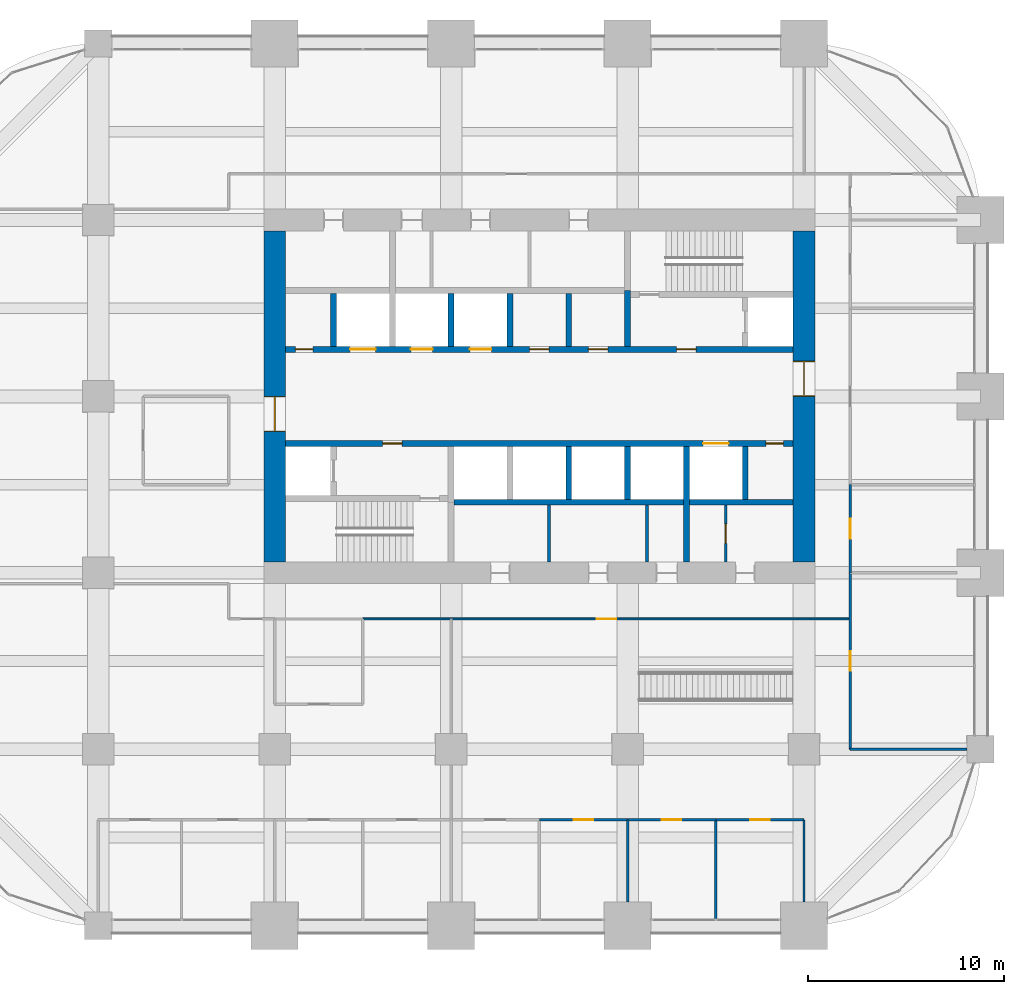
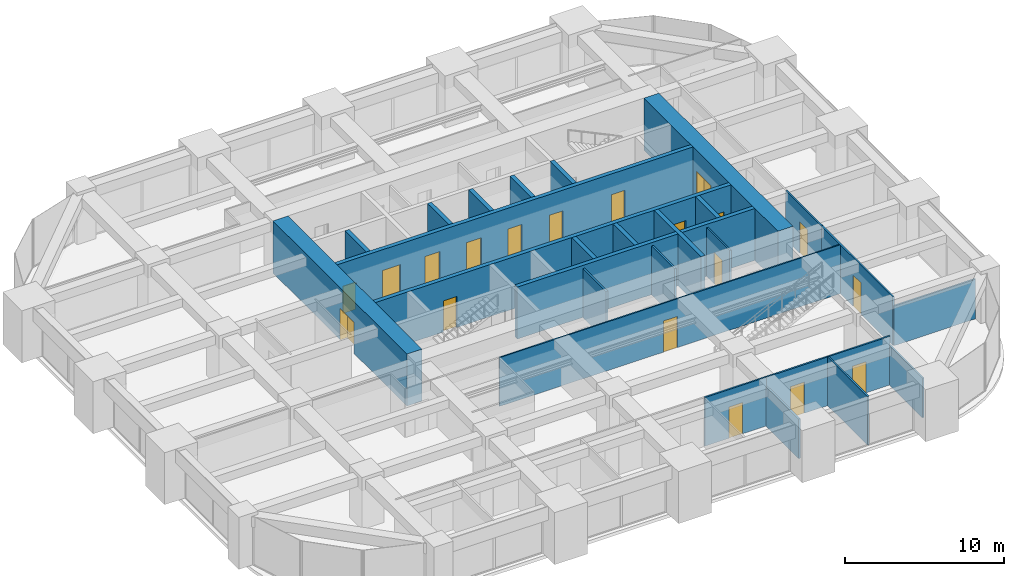
# One storey, part 30 of 34: 27 walls, 19 doors, 19 openings.
"""IFC4 building model written with IfcOpenShell, lengths in metres."""

from ifc_helpers import new_model, si_unit, direction, frame, frame_2d, origin, place, context, subcontext, project, spatial, rectangle, extrude, material, layer, layer_set, type_object, element, fill, save


model = new_model("IFC4")

# Units and contexts
model_context = context("Model", 3, precision=1e-05, world=origin(), true_north=direction((0.0, 1.0)))
body_context = subcontext(model_context, "Body", "Model", "MODEL_VIEW")
ifc_project = project(units=[si_unit("LENGTHUNIT", "METRE"), si_unit("AREAUNIT", "SQUARE_METRE"), si_unit("VOLUMEUNIT", "CUBIC_METRE"), si_unit("PLANEANGLEUNIT", "RADIAN"), si_unit("MASSUNIT", "GRAM", prefix="KILO")], contexts=[model_context])

# Site, building, storey
site_placement = place(None, origin())
site = spatial("IfcSite", under=ifc_project, at=site_placement, CompositionType="ELEMENT")
building_placement = place(site_placement, origin())
building = spatial("IfcBuilding", under=site, at=building_placement, Name="Zorevar Civic Tower", CompositionType="ELEMENT")
storey_placement = place(building_placement, frame((0.0, 0.0, 174.199951171875)))
storey = spatial("IfcBuildingStorey", under=building, at=storey_placement, Name="L42", CompositionType="ELEMENT", Elevation=174.199951171875)

# Wall, opening, door
ifc_material_1 = material(Name="Concrete C50/60", Category="concrete")
ifc_layer_1 = layer(ifc_material_1, 1.10009765625)
ifc_layer_set_1 = layer_set([ifc_layer_1], Name="Core wall 1100")
wall_type_1 = type_object("IfcWallType", Name="Core wall 1100", PredefinedType="SHEAR", material=ifc_layer_set_1)
wall_1_placement = place(storey_placement, frame((18.0, 35.449951171875, 0.0), z_axis=(0.0, 0.0, 1.0), x_axis=(0.0, -1.0, 0.0)))
wall_1 = element("IfcWall", 1, at=wall_1_placement, inside=storey, type_object=wall_type_1, Name="Core wall W L42", PredefinedType="SHEAR", context=body_context, shape_type="SweptSolid", body=[
    extrude(rectangle(XDim=16.89990234375, YDim=1.10009765625, at=frame_2d((8.449951171875, 0.0))), origin(), (0.0, 0.0, 1.0), 4.0),
])
opening_1_placement = place(wall_1_placement, frame((8.449951171875, 0.0, 0.0)))
opening_1 = element("IfcOpeningElement", 2, at=opening_1_placement, cuts=wall_1, Name="Opening L42.01", PredefinedType="OPENING", context=body_context, shape_type="SweptSolid", body=[
    extrude(rectangle(XDim=1.800048828125, YDim=2.39990234375, at=frame_2d((0.89990234375, 1.199951171875))), frame((0.0, 0.56005859375, 0.0), z_axis=(0.0, -1.0, 0.0), x_axis=(1.0, 0.0, 0.0)), (0.0, 0.0, 1.0), 1.1201171875),
])
ifc_material_2 = material(Name="Steel door set", Category="steel")
door_type_1 = type_object("IfcDoorType", Name="Fire door FD2 1800x2400", OperationType="DOUBLE_DOOR_DOUBLE_SWING", PredefinedType="DOOR", material=ifc_material_2)
door_1_placement = place(opening_1_placement, origin())
door_1 = element("IfcDoor", 3, at=door_1_placement, inside=storey, type_object=door_type_1, Name="Door L42 00", OperationType="DOUBLE_DOOR_DOUBLE_SWING", OverallHeight=2.39990234375, OverallWidth=1.800048828125, PredefinedType="DOOR", context=body_context, shape_type="SweptSolid", body=[
    extrude(rectangle(XDim=1.800048828125, YDim=2.39990234375, at=frame_2d((0.89990234375, 1.199951171875))), frame((0.0, 0.030029296875, 0.0), z_axis=(0.0, -1.0, 0.0), x_axis=(1.0, 0.0, 0.0)), (0.0, 0.0, 1.0), 0.06005859375),
    extrude(rectangle(XDim=0.04, YDim=2.39990234375, at=frame_2d((0.02001953125, 1.199951171875))), frame((0.0, 0.5498046875, 0.0), z_axis=(0.0, -1.0, 0.0), x_axis=(1.0, 0.0, 0.0)), (0.0, 0.0, 1.0), 1.099609375),
    extrude(rectangle(XDim=0.04, YDim=2.39990234375, at=frame_2d((1.780029296875, 1.199951171875))), frame((0.0, 0.5498046875, 0.0), z_axis=(0.0, -1.0, 0.0), x_axis=(1.0, 0.0, 0.0)), (0.0, 0.0, 1.0), 1.099609375),
    extrude(rectangle(XDim=1.800048828125, YDim=0.04, at=frame_2d((0.89990234375, 2.3798828125))), frame((0.0, 0.5498046875, 0.0), z_axis=(0.0, -1.0, 0.0), x_axis=(1.0, 0.0, 0.0)), (0.0, 0.0, 1.0), 1.099609375),
])
fill(opening_1, door_1)

wall_2_placement = place(storey_placement, frame((45.0, 18.550048828125, 0.0), z_axis=(0.0, 0.0, 1.0), x_axis=(0.0, 1.0, 0.0)))
wall_2 = element("IfcWall", 4, at=wall_2_placement, inside=storey, type_object=wall_type_1, Name="Core wall E L42", PredefinedType="SHEAR", context=body_context, shape_type="SweptSolid", body=[
    extrude(rectangle(XDim=16.89990234375, YDim=1.10009765625, at=frame_2d((8.449951171875, 0.0))), origin(), (0.0, 0.0, 1.0), 4.0),
])
opening_2_placement = place(wall_2_placement, frame((8.449951171875, 0.0, 0.0)))
opening_2 = element("IfcOpeningElement", 5, at=opening_2_placement, cuts=wall_2, Name="Opening L42.02", PredefinedType="OPENING", context=body_context, shape_type="SweptSolid", body=[
    extrude(rectangle(XDim=1.800048828125, YDim=2.39990234375, at=frame_2d((0.89990234375, 1.199951171875))), frame((0.0, 0.56005859375, 0.0), z_axis=(0.0, -1.0, 0.0), x_axis=(1.0, 0.0, 0.0)), (0.0, 0.0, 1.0), 1.1201171875),
])
door_2_placement = place(opening_2_placement, origin())
door_2 = element("IfcDoor", 6, at=door_2_placement, inside=storey, type_object=door_type_1, Name="Door L42 01", OperationType="DOUBLE_DOOR_DOUBLE_SWING", OverallHeight=2.39990234375, OverallWidth=1.800048828125, PredefinedType="DOOR", context=body_context, shape_type="SweptSolid", body=[
    extrude(rectangle(XDim=1.800048828125, YDim=2.39990234375, at=frame_2d((0.89990234375, 1.199951171875))), frame((0.0, 0.030029296875, 0.0), z_axis=(0.0, -1.0, 0.0), x_axis=(1.0, 0.0, 0.0)), (0.0, 0.0, 1.0), 0.06005859375),
    extrude(rectangle(XDim=0.04, YDim=2.39990234375, at=frame_2d((0.02001953125, 1.199951171875))), frame((0.0, 0.5498046875, 0.0), z_axis=(0.0, -1.0, 0.0), x_axis=(1.0, 0.0, 0.0)), (0.0, 0.0, 1.0), 1.099609375),
    extrude(rectangle(XDim=0.04, YDim=2.39990234375, at=frame_2d((1.780029296875, 1.199951171875))), frame((0.0, 0.5498046875, 0.0), z_axis=(0.0, -1.0, 0.0), x_axis=(1.0, 0.0, 0.0)), (0.0, 0.0, 1.0), 1.099609375),
    extrude(rectangle(XDim=1.800048828125, YDim=0.04, at=frame_2d((0.89990234375, 2.3798828125))), frame((0.0, 0.5498046875, 0.0), z_axis=(0.0, -1.0, 0.0), x_axis=(1.0, 0.0, 0.0)), (0.0, 0.0, 1.0), 1.099609375),
])
fill(opening_2, door_2)

ifc_material_3 = material(Name="Laminated glass in black aluminium frame", Category="aluminium")
ifc_layer_2 = layer(ifc_material_3, 0.10009765625)
ifc_layer_set_2 = layer_set([ifc_layer_2], Name="Glazed partition 100")
wall_type_2 = type_object("IfcWallType", Name="Glazed partition 100", PredefinedType="PARTITIONING", material=ifc_layer_set_2)
wall_3_placement = place(storey_placement, frame((22.5, 15.64990234375, 0.0), z_axis=(0.0, 0.0, 1.0), x_axis=(1.0, 0.0, 0.0)))
wall_3 = element("IfcWall", 7, at=wall_3_placement, inside=storey, type_object=wall_type_2, Name="Glazed partition 100 L42", PredefinedType="PARTITIONING", context=body_context, shape_type="SweptSolid", body=[
    extrude(rectangle(XDim=24.85009765625, YDim=0.10009765625, at=frame_2d((12.425048828125, 0.0))), origin(), (0.0, 0.0, 1.0), 3.75),
])
opening_3_placement = place(wall_3_placement, frame((11.925048828125, 0.0, 0.0)))
opening_3 = element("IfcOpeningElement", 8, at=opening_3_placement, cuts=wall_3, Name="Opening L42.27", PredefinedType="OPENING", context=body_context, shape_type="SweptSolid", body=[
    extrude(rectangle(XDim=1.0, YDim=2.39990234375, at=frame_2d((0.5, 1.199951171875))), frame((0.0, 0.06005859375, 0.0), z_axis=(0.0, -1.0, 0.0), x_axis=(1.0, 0.0, 0.0)), (0.0, 0.0, 1.0), 0.1201171875),
])
ifc_material_4 = material(Name="Timber door set", Category="wood")
door_type_2 = type_object("IfcDoorType", Name="Glazed door GD1 1000x2400", OperationType="SINGLE_SWING_LEFT", PredefinedType="DOOR", material=ifc_material_4)
door_3_placement = place(opening_3_placement, origin())
door_3 = element("IfcDoor", 9, at=door_3_placement, inside=storey, type_object=door_type_2, Name="Door L42 D1", OperationType="SINGLE_SWING_LEFT", OverallHeight=2.39990234375, OverallWidth=1.0, PredefinedType="DOOR", context=body_context, shape_type="SweptSolid", body=[
    extrude(rectangle(XDim=1.0, YDim=2.39990234375, at=frame_2d((0.5, 1.199951171875))), frame((0.0, 0.02001953125, 0.0), z_axis=(0.0, -1.0, 0.0), x_axis=(1.0, 0.0, 0.0)), (0.0, 0.0, 1.0), 0.0400390625),
])
fill(opening_3, door_3)

# Wall, openings, doors
ifc_material_5 = material(Name="Concrete C40/50", Category="concrete")
ifc_layer_3 = layer(ifc_material_5, 0.300048828125)
ifc_layer_set_3 = layer_set([ifc_layer_3], Name="Inner core wall 300")
wall_type_3 = type_object("IfcWallType", Name="Inner core wall 300", PredefinedType="SHEAR", material=ifc_layer_set_3)
wall_4_placement = place(storey_placement, frame((18.550048828125, 24.60009765625, 0.0), z_axis=(0.0, 0.0, 1.0), x_axis=(1.0, 0.0, 0.0)))
wall_4 = element("IfcWall", 10, at=wall_4_placement, inside=storey, type_object=wall_type_3, Name="Inner core wall S03 L42", PredefinedType="SHEAR", context=body_context, shape_type="SweptSolid", body=[
    extrude(rectangle(XDim=25.89990234375, YDim=0.300048828125, at=frame_2d((12.949951171875, 0.0))), origin(), (0.0, 0.0, 1.0), 4.0),
])
opening_4_placement = place(wall_4_placement, frame((4.949951171875, 0.0, 0.0)))
opening_4 = element("IfcOpeningElement", 11, at=opening_4_placement, cuts=wall_4, Name="Opening L42.13", PredefinedType="OPENING", context=body_context, shape_type="SweptSolid", body=[
    extrude(rectangle(XDim=1.0, YDim=2.39990234375, at=frame_2d((0.5, 1.199951171875))), frame((0.0, 0.159912109375, 0.0), z_axis=(0.0, -1.0, 0.0), x_axis=(1.0, 0.0, 0.0)), (0.0, 0.0, 1.0), 0.320068359375),
])
opening_5_placement = place(wall_4_placement, frame((24.5, 0.0, 0.0)))
opening_5 = element("IfcOpeningElement", 12, at=opening_5_placement, cuts=wall_4, Name="Opening L42.15", PredefinedType="OPENING", context=body_context, shape_type="SweptSolid", body=[
    extrude(rectangle(XDim=0.89990234375, YDim=2.10009765625, at=frame_2d((0.449951171875, 1.050048828125))), frame((0.0, 0.159912109375, 0.0), z_axis=(0.0, -1.0, 0.0), x_axis=(1.0, 0.0, 0.0)), (0.0, 0.0, 1.0), 0.320068359375),
])
opening_6_placement = place(wall_4_placement, frame((21.300048828125, 0.0, 0.0)))
opening_6 = element("IfcOpeningElement", 13, at=opening_6_placement, cuts=wall_4, Name="Opening L42.SL1", PredefinedType="OPENING", context=body_context, shape_type="SweptSolid", body=[
    extrude(rectangle(XDim=1.300048828125, YDim=2.39990234375, at=frame_2d((0.64990234375, 1.199951171875))), frame((0.0, 0.159912109375, 0.0), z_axis=(0.0, -1.0, 0.0), x_axis=(1.0, 0.0, 0.0)), (0.0, 0.0, 1.0), 0.320068359375),
])
ifc_material_6 = material(Name="Steel door set", Category="steel")
door_type_3 = type_object("IfcDoorType", Name="Fire door FD1 1000x2400", OperationType="SINGLE_SWING_LEFT", PredefinedType="DOOR", material=ifc_material_6)
door_4_placement = place(opening_4_placement, origin())
door_4 = element("IfcDoor", 14, at=door_4_placement, inside=storey, type_object=door_type_3, Name="Door L42 12", OperationType="SINGLE_SWING_RIGHT", OverallHeight=2.39990234375, OverallWidth=1.0, PredefinedType="DOOR", context=body_context, shape_type="SweptSolid", body=[
    extrude(rectangle(XDim=1.0, YDim=2.39990234375, at=frame_2d((0.5, 1.199951171875))), frame((0.0, 0.030029296875, 0.0), z_axis=(0.0, -1.0, 0.0), x_axis=(1.0, 0.0, 0.0)), (0.0, 0.0, 1.0), 0.06005859375),
])
fill(opening_4, door_4)
ifc_material_7 = material(Name="Steel door set", Category="steel")
door_type_4 = type_object("IfcDoorType", Name="Landing door LD2 1300x2400", OperationType="DOUBLE_DOOR_SLIDING", PredefinedType="DOOR", material=ifc_material_7)
door_5_placement = place(opening_6_placement, origin())
door_5 = element("IfcDoor", 15, at=door_5_placement, inside=storey, type_object=door_type_4, Name="Landing door SL1 L42", OperationType="DOUBLE_DOOR_SLIDING", OverallHeight=2.39990234375, OverallWidth=1.300048828125, PredefinedType="DOOR", context=body_context, shape_type="SweptSolid", body=[
    extrude(rectangle(XDim=1.300048828125, YDim=2.39990234375, at=frame_2d((0.64990234375, 1.199951171875))), frame((0.0, 0.02001953125, 0.0), z_axis=(0.0, -1.0, 0.0), x_axis=(1.0, 0.0, 0.0)), (0.0, 0.0, 1.0), 0.0400390625),
])
fill(opening_6, door_5)
ifc_material_8 = material(Name="Steel door set", Category="steel")
door_type_5 = type_object("IfcDoorType", Name="Riser door RD1 900x2100", OperationType="SINGLE_SWING_LEFT", PredefinedType="DOOR", material=ifc_material_8)
door_6_placement = place(opening_5_placement, origin())
door_6 = element("IfcDoor", 16, at=door_6_placement, inside=storey, type_object=door_type_5, Name="Door L42 14", OperationType="SINGLE_SWING_RIGHT", OverallHeight=2.10009765625, OverallWidth=0.89990234375, PredefinedType="DOOR", context=body_context, shape_type="SweptSolid", body=[
    extrude(rectangle(XDim=0.89990234375, YDim=2.10009765625, at=frame_2d((0.449951171875, 1.050048828125))), frame((0.0, 0.030029296875, 0.0), z_axis=(0.0, -1.0, 0.0), x_axis=(1.0, 0.0, 0.0)), (0.0, 0.0, 1.0), 0.06005859375),
])
fill(opening_5, door_6)

wall_5_placement = place(storey_placement, frame((18.550048828125, 29.39990234375, 0.0), z_axis=(0.0, 0.0, 1.0), x_axis=(1.0, 0.0, 0.0)))
wall_5 = element("IfcWall", 17, at=wall_5_placement, inside=storey, type_object=wall_type_3, Name="Inner core wall N03 L42", PredefinedType="SHEAR", context=body_context, shape_type="SweptSolid", body=[
    extrude(rectangle(XDim=25.89990234375, YDim=0.300048828125, at=frame_2d((12.949951171875, 0.0))), origin(), (0.0, 0.0, 1.0), 4.0),
])
opening_7_placement = place(wall_5_placement, frame((19.949951171875, 0.0, 0.0)))
opening_7 = element("IfcOpeningElement", 18, at=opening_7_placement, cuts=wall_5, Name="Opening L42.14", PredefinedType="OPENING", context=body_context, shape_type="SweptSolid", body=[
    extrude(rectangle(XDim=1.0, YDim=2.39990234375, at=frame_2d((0.5, 1.199951171875))), frame((0.0, 0.159912109375, 0.0), z_axis=(0.0, -1.0, 0.0), x_axis=(1.0, 0.0, 0.0)), (0.0, 0.0, 1.0), 0.320068359375),
])
opening_8_placement = place(wall_5_placement, frame((0.5, 0.0, 0.0)))
opening_8 = element("IfcOpeningElement", 19, at=opening_8_placement, cuts=wall_5, Name="Opening L42.16", PredefinedType="OPENING", context=body_context, shape_type="SweptSolid", body=[
    extrude(rectangle(XDim=0.89990234375, YDim=2.10009765625, at=frame_2d((0.449951171875, 1.050048828125))), frame((0.0, 0.159912109375, 0.0), z_axis=(0.0, -1.0, 0.0), x_axis=(1.0, 0.0, 0.0)), (0.0, 0.0, 1.0), 0.320068359375),
])
opening_9_placement = place(wall_5_placement, frame((15.449951171875, 0.0, 0.0)))
opening_9 = element("IfcOpeningElement", 20, at=opening_9_placement, cuts=wall_5, Name="Opening L42.37", PredefinedType="OPENING", context=body_context, shape_type="SweptSolid", body=[
    extrude(rectangle(XDim=1.0, YDim=2.39990234375, at=frame_2d((0.5, 1.199951171875))), frame((0.0, 0.159912109375, 0.0), z_axis=(0.0, -1.0, 0.0), x_axis=(1.0, 0.0, 0.0)), (0.0, 0.0, 1.0), 0.320068359375),
])
opening_10_placement = place(wall_5_placement, frame((12.449951171875, 0.0, 0.0)))
opening_10 = element("IfcOpeningElement", 21, at=opening_10_placement, cuts=wall_5, Name="Opening L42.38", PredefinedType="OPENING", context=body_context, shape_type="SweptSolid", body=[
    extrude(rectangle(XDim=1.0, YDim=2.39990234375, at=frame_2d((0.5, 1.199951171875))), frame((0.0, 0.159912109375, 0.0), z_axis=(0.0, -1.0, 0.0), x_axis=(1.0, 0.0, 0.0)), (0.0, 0.0, 1.0), 0.320068359375),
])
opening_11_placement = place(wall_5_placement, frame((9.39990234375, 0.0, 0.0)))
opening_11 = element("IfcOpeningElement", 22, at=opening_11_placement, cuts=wall_5, Name="Opening L42.LH1", PredefinedType="OPENING", context=body_context, shape_type="SweptSolid", body=[
    extrude(rectangle(XDim=1.10009765625, YDim=2.39990234375, at=frame_2d((0.550048828125, 1.199951171875))), frame((0.0, 0.159912109375, 0.0), z_axis=(0.0, -1.0, 0.0), x_axis=(1.0, 0.0, 0.0)), (0.0, 0.0, 1.0), 0.320068359375),
])
opening_12_placement = place(wall_5_placement, frame((6.39990234375, 0.0, 0.0)))
opening_12 = element("IfcOpeningElement", 23, at=opening_12_placement, cuts=wall_5, Name="Opening L42.LH2", PredefinedType="OPENING", context=body_context, shape_type="SweptSolid", body=[
    extrude(rectangle(XDim=1.10009765625, YDim=2.39990234375, at=frame_2d((0.550048828125, 1.199951171875))), frame((0.0, 0.159912109375, 0.0), z_axis=(0.0, -1.0, 0.0), x_axis=(1.0, 0.0, 0.0)), (0.0, 0.0, 1.0), 0.320068359375),
])
opening_13_placement = place(wall_5_placement, frame((3.300048828125, 0.0, 0.0)))
opening_13 = element("IfcOpeningElement", 24, at=opening_13_placement, cuts=wall_5, Name="Opening L42.SL2", PredefinedType="OPENING", context=body_context, shape_type="SweptSolid", body=[
    extrude(rectangle(XDim=1.300048828125, YDim=2.39990234375, at=frame_2d((0.64990234375, 1.199951171875))), frame((0.0, 0.159912109375, 0.0), z_axis=(0.0, -1.0, 0.0), x_axis=(1.0, 0.0, 0.0)), (0.0, 0.0, 1.0), 0.320068359375),
])
door_7_placement = place(opening_7_placement, origin())
door_7 = element("IfcDoor", 25, at=door_7_placement, inside=storey, type_object=door_type_3, Name="Door L42 13", OperationType="SINGLE_SWING_RIGHT", OverallHeight=2.39990234375, OverallWidth=1.0, PredefinedType="DOOR", context=body_context, shape_type="SweptSolid", body=[
    extrude(rectangle(XDim=1.0, YDim=2.39990234375, at=frame_2d((0.5, 1.199951171875))), frame((0.0, 0.030029296875, 0.0), z_axis=(0.0, -1.0, 0.0), x_axis=(1.0, 0.0, 0.0)), (0.0, 0.0, 1.0), 0.06005859375),
])
fill(opening_7, door_7)
door_8_placement = place(opening_9_placement, origin())
door_8 = element("IfcDoor", 26, at=door_8_placement, inside=storey, type_object=door_type_3, Name="Door L42 LM1 shaft room", OperationType="SINGLE_SWING_LEFT", OverallHeight=2.39990234375, OverallWidth=1.0, PredefinedType="DOOR", context=body_context, shape_type="SweptSolid", body=[
    extrude(rectangle(XDim=1.0, YDim=2.39990234375, at=frame_2d((0.5, 1.199951171875))), frame((0.0, 0.030029296875, 0.0), z_axis=(0.0, -1.0, 0.0), x_axis=(1.0, 0.0, 0.0)), (0.0, 0.0, 1.0), 0.06005859375),
])
fill(opening_9, door_8)
door_9_placement = place(opening_10_placement, origin())
door_9 = element("IfcDoor", 27, at=door_9_placement, inside=storey, type_object=door_type_3, Name="Door L42 LM2 shaft room", OperationType="SINGLE_SWING_LEFT", OverallHeight=2.39990234375, OverallWidth=1.0, PredefinedType="DOOR", context=body_context, shape_type="SweptSolid", body=[
    extrude(rectangle(XDim=1.0, YDim=2.39990234375, at=frame_2d((0.5, 1.199951171875))), frame((0.0, 0.030029296875, 0.0), z_axis=(0.0, -1.0, 0.0), x_axis=(1.0, 0.0, 0.0)), (0.0, 0.0, 1.0), 0.06005859375),
])
fill(opening_10, door_9)
ifc_material_9 = material(Name="Steel door set", Category="steel")
door_type_6 = type_object("IfcDoorType", Name="Landing door LD1 1100x2400", OperationType="DOUBLE_DOOR_SLIDING", PredefinedType="DOOR", material=ifc_material_9)
door_10_placement = place(opening_11_placement, origin())
door_10 = element("IfcDoor", 28, at=door_10_placement, inside=storey, type_object=door_type_6, Name="Landing door LH1 L42", OperationType="DOUBLE_DOOR_SLIDING", OverallHeight=2.39990234375, OverallWidth=1.10009765625, PredefinedType="DOOR", context=body_context, shape_type="SweptSolid", body=[
    extrude(rectangle(XDim=1.10009765625, YDim=2.39990234375, at=frame_2d((0.550048828125, 1.199951171875))), frame((0.0, 0.02001953125, 0.0), z_axis=(0.0, -1.0, 0.0), x_axis=(1.0, 0.0, 0.0)), (0.0, 0.0, 1.0), 0.0400390625),
])
fill(opening_11, door_10)
door_11_placement = place(opening_12_placement, origin())
door_11 = element("IfcDoor", 29, at=door_11_placement, inside=storey, type_object=door_type_6, Name="Landing door LH2 L42", OperationType="DOUBLE_DOOR_SLIDING", OverallHeight=2.39990234375, OverallWidth=1.10009765625, PredefinedType="DOOR", context=body_context, shape_type="SweptSolid", body=[
    extrude(rectangle(XDim=1.10009765625, YDim=2.39990234375, at=frame_2d((0.550048828125, 1.199951171875))), frame((0.0, 0.02001953125, 0.0), z_axis=(0.0, -1.0, 0.0), x_axis=(1.0, 0.0, 0.0)), (0.0, 0.0, 1.0), 0.0400390625),
])
fill(opening_12, door_11)
door_12_placement = place(opening_13_placement, origin())
door_12 = element("IfcDoor", 30, at=door_12_placement, inside=storey, type_object=door_type_4, Name="Landing door SL2 L42", OperationType="DOUBLE_DOOR_SLIDING", OverallHeight=2.39990234375, OverallWidth=1.300048828125, PredefinedType="DOOR", context=body_context, shape_type="SweptSolid", body=[
    extrude(rectangle(XDim=1.300048828125, YDim=2.39990234375, at=frame_2d((0.64990234375, 1.199951171875))), frame((0.0, 0.02001953125, 0.0), z_axis=(0.0, -1.0, 0.0), x_axis=(1.0, 0.0, 0.0)), (0.0, 0.0, 1.0), 0.0400390625),
])
fill(opening_13, door_12)
door_13_placement = place(opening_8_placement, origin())
door_13 = element("IfcDoor", 31, at=door_13_placement, inside=storey, type_object=door_type_5, Name="Door L42 15", OperationType="SINGLE_SWING_RIGHT", OverallHeight=2.10009765625, OverallWidth=0.89990234375, PredefinedType="DOOR", context=body_context, shape_type="SweptSolid", body=[
    extrude(rectangle(XDim=0.89990234375, YDim=2.10009765625, at=frame_2d((0.449951171875, 1.050048828125))), frame((0.0, 0.030029296875, 0.0), z_axis=(0.0, -1.0, 0.0), x_axis=(1.0, 0.0, 0.0)), (0.0, 0.0, 1.0), 0.06005859375),
])
fill(opening_8, door_13)

# Walls
wall_6_placement = place(storey_placement, frame((27.14990234375, 21.60009765625, 0.0), z_axis=(0.0, 0.0, 1.0), x_axis=(1.0, 0.0, 0.0)))
element("IfcWall", 32, at=wall_6_placement, inside=storey, type_object=wall_type_3, Name="Inner core wall S04 L42", PredefinedType="SHEAR", context=body_context, shape_type="SweptSolid", body=[
    extrude(rectangle(XDim=17.300048828125, YDim=0.300048828125, at=frame_2d((8.64990234375, 0.0))), origin(), (0.0, 0.0, 1.0), 4.0),
])
for number, where, z_axis, x_axis, name in (
    (33, (33.0, 29.550048828125, 0.0), (0.0, 0.0, 1.0), (0.0, 1.0, 0.0), "Inner core wall N05 L42"),
    (34, (33.0, 21.75, 0.0), (0.0, 0.0, 1.0), (0.0, 1.0, 0.0), "Inner core wall S06 L42"),
    (35, (30.0, 29.550048828125, 0.0), (0.0, 0.0, 1.0), (0.0, 1.0, 0.0), "Inner core wall N06 L42"),
    (36, (36.0, 21.75, 0.0), (0.0, 0.0, 1.0), (0.0, 1.0, 0.0), "Inner core wall S07 L42"),
    (37, (27.0, 29.550048828125, 0.0), (0.0, 0.0, 1.0), (0.0, 1.0, 0.0), "Inner core wall N07 L42"),
):
    element("IfcWall", number, at=place(storey_placement, frame(where, z_axis=z_axis, x_axis=x_axis)), inside=storey, type_object=wall_type_3, Name=name, PredefinedType="SHEAR", context=body_context, shape_type="SweptSolid", body=[
        extrude(rectangle(XDim=2.699951171875, YDim=0.300048828125, at=frame_2d((1.35009765625, 0.0))), origin(), (0.0, 0.0, 1.0), 4.0),
    ])
wall_7_placement = place(storey_placement, frame((39.0, 18.550048828125, 0.0), z_axis=(0.0, 0.0, 1.0), x_axis=(0.0, 1.0, 0.0)))
element("IfcWall", 38, at=wall_7_placement, inside=storey, type_object=wall_type_3, Name="Inner core wall S08 L42", PredefinedType="SHEAR", context=body_context, shape_type="SweptSolid", body=[
    extrude(rectangle(XDim=5.89990234375, YDim=0.300048828125, at=frame_2d((2.949951171875, 0.0))), origin(), (0.0, 0.0, 1.0), 4.0),
])
for number, where, z_axis, x_axis, name in (
    (39, (42.0, 21.75, 0.0), (0.0, 0.0, 1.0), (0.0, 1.0, 0.0), "Inner core wall S09 L42"),
    (40, (21.0, 29.550048828125, 0.0), (0.0, 0.0, 1.0), (0.0, 1.0, 0.0), "Inner core wall N09 L42"),
):
    element("IfcWall", number, at=place(storey_placement, frame(where, z_axis=z_axis, x_axis=x_axis)), inside=storey, type_object=wall_type_3, Name=name, PredefinedType="SHEAR", context=body_context, shape_type="SweptSolid", body=[
        extrude(rectangle(XDim=2.699951171875, YDim=0.300048828125, at=frame_2d((1.35009765625, 0.0))), origin(), (0.0, 0.0, 1.0), 4.0),
    ])
wall_8_placement = place(storey_placement, frame((36.0, 29.550048828125, 0.0), z_axis=(0.0, 0.0, 1.0), x_axis=(0.0, 1.0, 0.0)))
element("IfcWall", 41, at=wall_8_placement, inside=storey, type_object=wall_type_3, Name="Inner core wall N10 L42", PredefinedType="SHEAR", context=body_context, shape_type="SweptSolid", body=[
    extrude(rectangle(XDim=2.849853515625, YDim=0.300048828125, at=frame_2d((1.4248046875, 0.0))), origin(), (0.0, 0.0, 1.0), 4.0),
])

# Wall, opening, door
ifc_material_10 = material(Name="Gypsum board on steel studs", Category="steel")
ifc_layer_4 = layer(ifc_material_10, 0.1201171875)
ifc_layer_set_4 = layer_set([ifc_layer_4], Name="Partition 120")
wall_type_4 = type_object("IfcWallType", Name="Partition 120", PredefinedType="PARTITIONING", material=ifc_layer_set_4)
wall_9_placement = place(storey_placement, frame((31.5, 5.39990234375, 0.0), z_axis=(0.0, 0.0, 1.0), x_axis=(1.0, 0.0, 0.0)))
wall_9 = element("IfcWall", 42, at=wall_9_placement, inside=storey, type_object=wall_type_4, Name="Partition 120 L42", PredefinedType="PARTITIONING", context=body_context, shape_type="SweptSolid", body=[
    extrude(rectangle(XDim=4.5, YDim=0.1201171875, at=frame_2d((2.25, 0.0))), origin(), (0.0, 0.0, 1.0), 3.75),
])
opening_14_placement = place(wall_9_placement, frame((1.75, 0.0, 0.0)))
opening_14 = element("IfcOpeningElement", 43, at=opening_14_placement, cuts=wall_9, Name="Opening L42.22", PredefinedType="OPENING", context=body_context, shape_type="SweptSolid", body=[
    extrude(rectangle(XDim=1.0, YDim=2.39990234375, at=frame_2d((0.5, 1.199951171875))), frame((0.0, 0.070068359375, 0.0), z_axis=(0.0, -1.0, 0.0), x_axis=(1.0, 0.0, 0.0)), (0.0, 0.0, 1.0), 0.14013671875),
])
ifc_material_11 = material(Name="Timber door set", Category="wood")
door_type_7 = type_object("IfcDoorType", Name="Door D1 1000x2400", OperationType="SINGLE_SWING_LEFT", PredefinedType="DOOR", material=ifc_material_11)
door_14_placement = place(opening_14_placement, origin())
door_14 = element("IfcDoor", 44, at=door_14_placement, inside=storey, type_object=door_type_7, Name="Door L42 D1", OperationType="SINGLE_SWING_RIGHT", OverallHeight=2.39990234375, OverallWidth=1.0, PredefinedType="DOOR", context=body_context, shape_type="SweptSolid", body=[
    extrude(rectangle(XDim=1.0, YDim=2.39990234375, at=frame_2d((0.5, 1.199951171875))), frame((0.0, 0.02490234375, 0.0), z_axis=(0.0, -1.0, 0.0), x_axis=(1.0, 0.0, 0.0)), (0.0, 0.0, 1.0), 0.050048828125),
])
fill(opening_14, door_14)

wall_10_placement = place(storey_placement, frame((36.0, 5.39990234375, 0.0), z_axis=(0.0, 0.0, 1.0), x_axis=(1.0, 0.0, 0.0)))
wall_10 = element("IfcWall", 45, at=wall_10_placement, inside=storey, type_object=wall_type_4, Name="Partition 120 L42", PredefinedType="PARTITIONING", context=body_context, shape_type="SweptSolid", body=[
    extrude(rectangle(XDim=4.5, YDim=0.1201171875, at=frame_2d((2.25, 0.0))), origin(), (0.0, 0.0, 1.0), 3.75),
])
opening_15_placement = place(wall_10_placement, frame((1.75, 0.0, 0.0)))
opening_15 = element("IfcOpeningElement", 46, at=opening_15_placement, cuts=wall_10, Name="Opening L42.23", PredefinedType="OPENING", context=body_context, shape_type="SweptSolid", body=[
    extrude(rectangle(XDim=1.0, YDim=2.39990234375, at=frame_2d((0.5, 1.199951171875))), frame((0.0, 0.070068359375, 0.0), z_axis=(0.0, -1.0, 0.0), x_axis=(1.0, 0.0, 0.0)), (0.0, 0.0, 1.0), 0.14013671875),
])
door_15_placement = place(opening_15_placement, origin())
door_15 = element("IfcDoor", 47, at=door_15_placement, inside=storey, type_object=door_type_7, Name="Door L42 D1", OperationType="SINGLE_SWING_RIGHT", OverallHeight=2.39990234375, OverallWidth=1.0, PredefinedType="DOOR", context=body_context, shape_type="SweptSolid", body=[
    extrude(rectangle(XDim=1.0, YDim=2.39990234375, at=frame_2d((0.5, 1.199951171875))), frame((0.0, 0.02490234375, 0.0), z_axis=(0.0, -1.0, 0.0), x_axis=(1.0, 0.0, 0.0)), (0.0, 0.0, 1.0), 0.050048828125),
])
fill(opening_15, door_15)

wall_11_placement = place(storey_placement, frame((40.5, 5.39990234375, 0.0), z_axis=(0.0, 0.0, 1.0), x_axis=(1.0, 0.0, 0.0)))
wall_11 = element("IfcWall", 48, at=wall_11_placement, inside=storey, type_object=wall_type_4, Name="Partition 120 L42", PredefinedType="PARTITIONING", context=body_context, shape_type="SweptSolid", body=[
    extrude(rectangle(XDim=4.5, YDim=0.1201171875, at=frame_2d((2.25, 0.0))), origin(), (0.0, 0.0, 1.0), 3.75),
])
opening_16_placement = place(wall_11_placement, frame((1.75, 0.0, 0.0)))
opening_16 = element("IfcOpeningElement", 49, at=opening_16_placement, cuts=wall_11, Name="Opening L42.24", PredefinedType="OPENING", context=body_context, shape_type="SweptSolid", body=[
    extrude(rectangle(XDim=1.0, YDim=2.39990234375, at=frame_2d((0.5, 1.199951171875))), frame((0.0, 0.070068359375, 0.0), z_axis=(0.0, -1.0, 0.0), x_axis=(1.0, 0.0, 0.0)), (0.0, 0.0, 1.0), 0.14013671875),
])
door_16_placement = place(opening_16_placement, origin())
door_16 = element("IfcDoor", 50, at=door_16_placement, inside=storey, type_object=door_type_7, Name="Door L42 D1", OperationType="SINGLE_SWING_LEFT", OverallHeight=2.39990234375, OverallWidth=1.0, PredefinedType="DOOR", context=body_context, shape_type="SweptSolid", body=[
    extrude(rectangle(XDim=1.0, YDim=2.39990234375, at=frame_2d((0.5, 1.199951171875))), frame((0.0, 0.02490234375, 0.0), z_axis=(0.0, -1.0, 0.0), x_axis=(1.0, 0.0, 0.0)), (0.0, 0.0, 1.0), 0.050048828125),
])
fill(opening_16, door_16)

# Walls
wall_12_placement = place(storey_placement, frame((47.35009765625, 9.0, 0.0), z_axis=(0.0, 0.0, 1.0), x_axis=(1.0, 0.0, 0.0)))
element("IfcWall", 51, at=wall_12_placement, inside=storey, type_object=wall_type_4, Name="Partition 120 L42", PredefinedType="PARTITIONING", context=body_context, shape_type="SweptSolid", body=[
    extrude(rectangle(XDim=5.949951171875, YDim=0.1201171875, at=frame_2d((2.97509765625, 0.0))), origin(), (0.0, 0.0, 1.0), 3.050048828125),
])
wall_13_placement = place(storey_placement, frame((36.0, 1.199951171875, 0.0), z_axis=(0.0, 0.0, 1.0), x_axis=(0.0, 1.0, 0.0)))
element("IfcWall", 52, at=wall_13_placement, inside=storey, type_object=wall_type_4, Name="Partition 120 L42", PredefinedType="PARTITIONING", context=body_context, shape_type="SweptSolid", body=[
    extrude(rectangle(XDim=4.199951171875, YDim=0.1201171875, at=frame_2d((2.10009765625, 0.0))), origin(), (0.0, 0.0, 1.0), 3.050048828125),
])
wall_14_placement = place(storey_placement, frame((40.5, 0.31005859375, 0.0), z_axis=(0.0, 0.0, 1.0), x_axis=(0.0, 1.0, 0.0)))
element("IfcWall", 53, at=wall_14_placement, inside=storey, type_object=wall_type_4, Name="Partition 120 L42", PredefinedType="PARTITIONING", context=body_context, shape_type="SweptSolid", body=[
    extrude(rectangle(XDim=5.08984375, YDim=0.1201171875, at=frame_2d((2.544921875, 0.0))), origin(), (0.0, 0.0, 1.0), 3.75),
])
wall_15_placement = place(storey_placement, frame((45.0, 1.199951171875, 0.0), z_axis=(0.0, 0.0, 1.0), x_axis=(0.0, 1.0, 0.0)))
element("IfcWall", 54, at=wall_15_placement, inside=storey, type_object=wall_type_4, Name="Partition 120 L42", PredefinedType="PARTITIONING", context=body_context, shape_type="SweptSolid", body=[
    extrude(rectangle(XDim=4.199951171875, YDim=0.1201171875, at=frame_2d((2.10009765625, 0.0))), origin(), (0.0, 0.0, 1.0), 3.050048828125),
])

# Wall, opening, door
wall_16_placement = place(storey_placement, frame((47.35009765625, 9.0, 0.0), z_axis=(0.0, 0.0, 1.0), x_axis=(0.0, 1.0, 0.0)))
wall_16 = element("IfcWall", 55, at=wall_16_placement, inside=storey, type_object=wall_type_4, Name="Partition 120 L42", PredefinedType="PARTITIONING", context=body_context, shape_type="SweptSolid", body=[
    extrude(rectangle(XDim=9.0, YDim=0.1201171875, at=frame_2d((4.5, 0.0))), origin(), (0.0, 0.0, 1.0), 3.75),
])
opening_17_placement = place(wall_16_placement, frame((4.0, 0.0, 0.0)))
opening_17 = element("IfcOpeningElement", 56, at=opening_17_placement, cuts=wall_16, Name="Opening L42.31", PredefinedType="OPENING", context=body_context, shape_type="SweptSolid", body=[
    extrude(rectangle(XDim=1.0, YDim=2.39990234375, at=frame_2d((0.5, 1.199951171875))), frame((0.0, 0.070068359375, 0.0), z_axis=(0.0, -1.0, 0.0), x_axis=(1.0, 0.0, 0.0)), (0.0, 0.0, 1.0), 0.14013671875),
])
door_17_placement = place(opening_17_placement, origin())
door_17 = element("IfcDoor", 57, at=door_17_placement, inside=storey, type_object=door_type_7, Name="Door L42 D1", OperationType="SINGLE_SWING_LEFT", OverallHeight=2.39990234375, OverallWidth=1.0, PredefinedType="DOOR", context=body_context, shape_type="SweptSolid", body=[
    extrude(rectangle(XDim=1.0, YDim=2.39990234375, at=frame_2d((0.5, 1.199951171875))), frame((0.0, 0.02490234375, 0.0), z_axis=(0.0, -1.0, 0.0), x_axis=(1.0, 0.0, 0.0)), (0.0, 0.0, 1.0), 0.050048828125),
])
fill(opening_17, door_17)

wall_17_placement = place(storey_placement, frame((47.35009765625, 18.0, 0.0), z_axis=(0.0, 0.0, 1.0), x_axis=(0.0, 1.0, 0.0)))
wall_17 = element("IfcWall", 58, at=wall_17_placement, inside=storey, type_object=wall_type_4, Name="Partition 120 L42", PredefinedType="PARTITIONING", context=body_context, shape_type="SweptSolid", body=[
    extrude(rectangle(XDim=4.5, YDim=0.1201171875, at=frame_2d((2.25, 0.0))), origin(), (0.0, 0.0, 1.0), 3.75),
])
opening_18_placement = place(wall_17_placement, frame((1.75, 0.0, 0.0)))
opening_18 = element("IfcOpeningElement", 59, at=opening_18_placement, cuts=wall_17, Name="Opening L42.32", PredefinedType="OPENING", context=body_context, shape_type="SweptSolid", body=[
    extrude(rectangle(XDim=1.0, YDim=2.39990234375, at=frame_2d((0.5, 1.199951171875))), frame((0.0, 0.070068359375, 0.0), z_axis=(0.0, -1.0, 0.0), x_axis=(1.0, 0.0, 0.0)), (0.0, 0.0, 1.0), 0.14013671875),
])
door_18_placement = place(opening_18_placement, origin())
door_18 = element("IfcDoor", 60, at=door_18_placement, inside=storey, type_object=door_type_7, Name="Door L42 D1", OperationType="SINGLE_SWING_LEFT", OverallHeight=2.39990234375, OverallWidth=1.0, PredefinedType="DOOR", context=body_context, shape_type="SweptSolid", body=[
    extrude(rectangle(XDim=1.0, YDim=2.39990234375, at=frame_2d((0.5, 1.199951171875))), frame((0.0, 0.02490234375, 0.0), z_axis=(0.0, -1.0, 0.0), x_axis=(1.0, 0.0, 0.0)), (0.0, 0.0, 1.0), 0.050048828125),
])
fill(opening_18, door_18)

wall_18_placement = place(storey_placement, frame((41.0, 18.550048828125, 0.0), z_axis=(0.0, 0.0, 1.0), x_axis=(0.0, 1.0, 0.0)))
wall_18 = element("IfcWall", 61, at=wall_18_placement, inside=storey, type_object=wall_type_4, Name="Partition L42", PredefinedType="PARTITIONING", context=body_context, shape_type="SweptSolid", body=[
    extrude(rectangle(XDim=2.89990234375, YDim=0.1201171875, at=frame_2d((1.449951171875, 0.0))), origin(), (0.0, 0.0, 1.0), 3.75),
])
opening_19_placement = place(wall_18_placement, frame((0.949951171875, 0.0, 0.0)))
opening_19 = element("IfcOpeningElement", 62, at=opening_19_placement, cuts=wall_18, Name="Opening L42.36", PredefinedType="OPENING", context=body_context, shape_type="SweptSolid", body=[
    extrude(rectangle(XDim=1.0, YDim=2.39990234375, at=frame_2d((0.5, 1.199951171875))), frame((0.0, 0.070068359375, 0.0), z_axis=(0.0, -1.0, 0.0), x_axis=(1.0, 0.0, 0.0)), (0.0, 0.0, 1.0), 0.14013671875),
])
door_19_placement = place(opening_19_placement, origin())
door_19 = element("IfcDoor", 63, at=door_19_placement, inside=storey, type_object=door_type_3, Name="Door L42 ES", OperationType="SINGLE_SWING_LEFT", OverallHeight=2.39990234375, OverallWidth=1.0, PredefinedType="DOOR", context=body_context, shape_type="SweptSolid", body=[
    extrude(rectangle(XDim=1.0, YDim=2.39990234375, at=frame_2d((0.5, 1.199951171875))), frame((0.0, 0.030029296875, 0.0), z_axis=(0.0, -1.0, 0.0), x_axis=(1.0, 0.0, 0.0)), (0.0, 0.0, 1.0), 0.06005859375),
])
fill(opening_19, door_19)

# Walls
ifc_material_12 = material(Name="Gypsum board on steel studs, moisture resistant", Category="steel")
ifc_layer_5 = layer(ifc_material_12, 0.14990234375)
ifc_layer_set_5 = layer_set([ifc_layer_5], Name="WC partition 150")
wall_type_5 = type_object("IfcWallType", Name="WC partition 150", PredefinedType="PARTITIONING", material=ifc_layer_set_5)
for number, where, z_axis, x_axis, name in (
    (64, (32.0, 18.550048828125, 0.0), (0.0, 0.0, 1.0), (0.0, 1.0, 0.0), "WC partition L42"),
    (65, (37.0, 18.550048828125, 0.0), (0.0, 0.0, 1.0), (0.0, 1.0, 0.0), "WC partition L42"),
):
    element("IfcWall", number, at=place(storey_placement, frame(where, z_axis=z_axis, x_axis=x_axis)), inside=storey, type_object=wall_type_5, Name=name, PredefinedType="PARTITIONING", context=body_context, shape_type="SweptSolid", body=[
        extrude(rectangle(XDim=2.89990234375, YDim=0.14990234375, at=frame_2d((1.449951171875, 0.0))), origin(), (0.0, 0.0, 1.0), 3.75),
    ])

save(model, "model.ifc")
